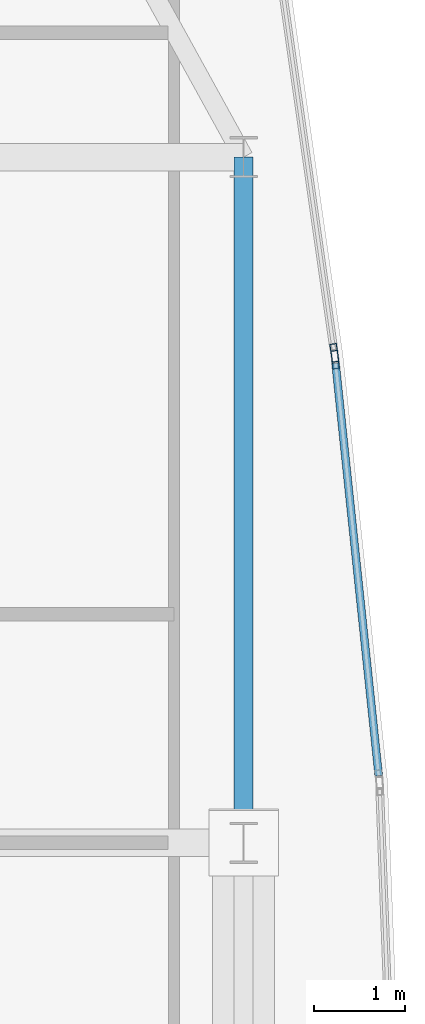
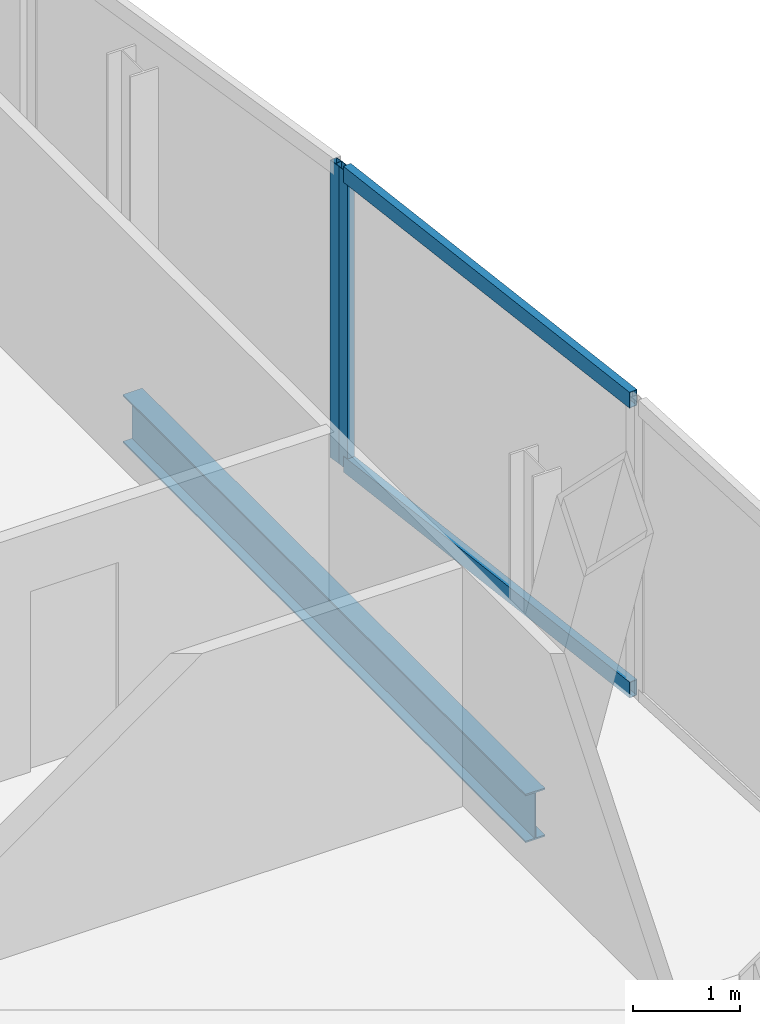
# One storey, part 19 of 29: 4 members, 1 beam, 2 elements without a shape of their own.
"""IFC4 building model written with IfcOpenShell, lengths in metres."""

from ifc_helpers import new_model, si_unit, direction, frame, origin, origin_2d, place, context, subcontext, project, spatial, hollow_rectangle, i_section, extrude, material, material_profile, profile_set, type_object, element, aggregate, save


model = new_model("IFC4")

# Units and contexts
model_context = context("Model", 3, precision=1e-05, world=origin(), true_north=direction((0.0, 1.0)))
body_context = subcontext(model_context, "Body", "Model", "MODEL_VIEW")
ifc_project = project(units=[si_unit("LENGTHUNIT", "METRE"), si_unit("AREAUNIT", "SQUARE_METRE"), si_unit("VOLUMEUNIT", "CUBIC_METRE"), si_unit("PLANEANGLEUNIT", "RADIAN"), si_unit("MASSUNIT", "GRAM", prefix="KILO")], contexts=[model_context])

# Site, building, storey
site_placement = place(None, origin())
site = spatial("IfcSite", under=ifc_project, at=site_placement, CompositionType="ELEMENT")
building_placement = place(site_placement, origin())
building = spatial("IfcBuilding", under=site, at=building_placement, Name="Khoronbel Lancet Exchange", CompositionType="ELEMENT")
storey_placement = place(building_placement, frame((0.0, 0.0, 302.199951171875)))
storey = spatial("IfcBuildingStorey", under=building, at=storey_placement, Name="L78", CompositionType="ELEMENT", Elevation=302.199951171875)

# Beam
ifc_material_1 = material(Name="Steel S355", Category="steel")
ifc_material_profile_1 = material_profile(ifc_material_1, i_section(OverallWidth=0.2099609375, OverallDepth=0.550048828125, WebThickness=0.010986328125, FlangeThickness=0.01708984375, at=origin_2d()), Name="IPE 550")
ifc_profile_set_1 = profile_set([ifc_material_profile_1], Name="Steel S355")
beam_type = type_object("IfcBeamType", Name="BM-BSP3", PredefinedType="SPANDREL", material=ifc_profile_set_1)
beam_placement = place(storey_placement, frame((61.6298828125, 35.699951171875, -0.43505859375), z_axis=(0.0, 1.0, 0.0), x_axis=(-1.0, 0.0, 0.0)))
element("IfcBeam", 1, at=beam_placement, inside=storey, type_object=beam_type, Name="Level L78 perimeter spandrel beam SP14", PredefinedType="SPANDREL", context=body_context, shape_type="SweptSolid", body=[
    extrude(i_section(OverallWidth=0.2099609375, OverallDepth=0.550048828125, WebThickness=0.010986328125, FlangeThickness=0.01708984375, at=origin_2d()), origin(), (0.0, 0.0, 1.0), 7.5),
])

# Curtain wall, member
ifc_material_2 = material(Name="Low-E Solar Control Insulating Glass", Category="glass")
curtain_wall_type = type_object("IfcCurtainWallType", Name="CW-4", PredefinedType="NOTDEFINED", material=ifc_material_2)
curtain_wall_1_placement = place(storey_placement, origin())
curtain_wall_1 = element("IfcCurtainWall", 2, at=curtain_wall_1_placement, inside=storey, type_object=curtain_wall_type, Name="Unitised curtain wall CW-L78-E17", PredefinedType="NOTDEFINED")
ifc_material_3 = material(Name="Bronze-Anodised Aluminium 6063-T6", Category="aluminium")
ifc_material_profile_2 = material_profile(ifc_material_3, hollow_rectangle(XDim=0.074951171875, YDim=0.199951171875, WallThickness=0.0048828125, at=origin_2d()), Name="ALU MULLION 75x200")
ifc_profile_set_2 = profile_set([ifc_material_profile_2], Name="Bronze-Anodised Aluminium 6063-T6")
member_type_1 = type_object("IfcMemberType", Name="MEM-CWM2", PredefinedType="MULLION", material=ifc_profile_set_2)
member_1_placement = place(storey_placement, frame((62.622802734375, 41.059326171875, 0.0), z_axis=(0.0, 0.0, 1.0), x_axis=(0.989929988267, 0.141557826802, 0.0)))
member_1 = element("IfcMember", 3, at=member_1_placement, type_object=member_type_1, Name="CW4 mullion 2", PredefinedType="MULLION", context=body_context, shape_type="SweptSolid", body=[
    extrude(hollow_rectangle(XDim=0.074951171875, YDim=0.199951171875, WallThickness=0.0048828125, at=origin_2d()), origin(), (0.0, 0.0, 1.0), 3.380126953125),
])
aggregate(curtain_wall_1, [member_1])

# Curtain wall, members
curtain_wall_2_placement = place(storey_placement, origin())
curtain_wall_2 = element("IfcCurtainWall", 4, at=curtain_wall_2_placement, inside=storey, type_object=curtain_wall_type, Name="Unitised curtain wall CW-L78-E18", PredefinedType="NOTDEFINED")
member_2_placement = place(storey_placement, frame((62.6318359375, 40.98486328125, 0.0), z_axis=(0.0, 0.0, 1.0), x_axis=(0.994563630588, 0.104130613712, 0.0)))
member_2 = element("IfcMember", 5, at=member_2_placement, type_object=member_type_1, Name="CW4 mullion 1", PredefinedType="MULLION", context=body_context, shape_type="SweptSolid", body=[
    extrude(hollow_rectangle(XDim=0.074951171875, YDim=0.199951171875, WallThickness=0.0048828125, at=origin_2d()), origin(), (0.0, 0.0, 1.0), 3.380126953125),
])
ifc_material_profile_3 = material_profile(ifc_material_3, hollow_rectangle(XDim=0.0849609375, YDim=0.179931640625, WallThickness=0.0048828125, at=origin_2d()), Name="ALU TRANSOM 85x180")
ifc_profile_set_3 = profile_set([ifc_material_profile_3], Name="Bronze-Anodised Aluminium 6063-T6")
member_type_2 = type_object("IfcMemberType", Name="MEM-CWT1", PredefinedType="USERDEFINED", material=ifc_profile_set_3)
member_3_placement = place(storey_placement, frame((62.6357421875, 40.947509765625, 0.04248046875), z_axis=(0.104169407267, -0.994559568145, 0.0), x_axis=(0.994559568145, 0.104169407267, 0.0)))
member_3 = element("IfcMember", 6, at=member_3_placement, type_object=member_type_2, Name="CW4 transom 1.1", ObjectType="TRANSOM", PredefinedType="USERDEFINED", context=body_context, shape_type="SweptSolid", body=[
    extrude(hollow_rectangle(XDim=0.0849609375, YDim=0.179931640625, WallThickness=0.0048828125, at=origin_2d()), origin(), (0.0, 0.0, 1.0), 4.537353515625),
])
member_4_placement = place(storey_placement, frame((62.6357421875, 40.947509765625, 3.337646484375), z_axis=(0.104169407267, -0.994559568145, 0.0), x_axis=(0.994559568145, 0.104169407267, 0.0)))
member_4 = element("IfcMember", 7, at=member_4_placement, type_object=member_type_2, Name="CW4 transom 1.2", ObjectType="TRANSOM", PredefinedType="USERDEFINED", context=body_context, shape_type="SweptSolid", body=[
    extrude(hollow_rectangle(XDim=0.0849609375, YDim=0.179931640625, WallThickness=0.0048828125, at=origin_2d()), origin(), (0.0, 0.0, 1.0), 4.537353515625),
])
aggregate(curtain_wall_2, [member_2, member_3, member_4])

save(model, "model.ifc")
